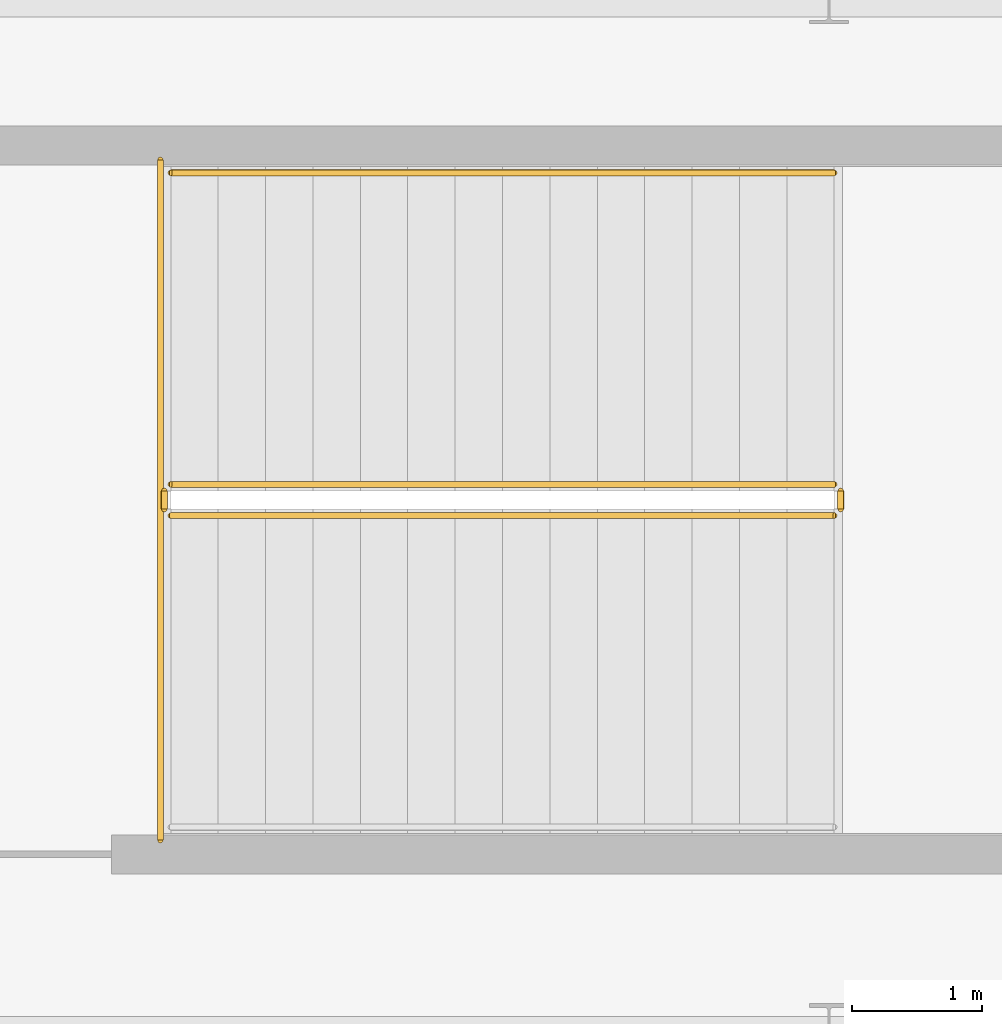
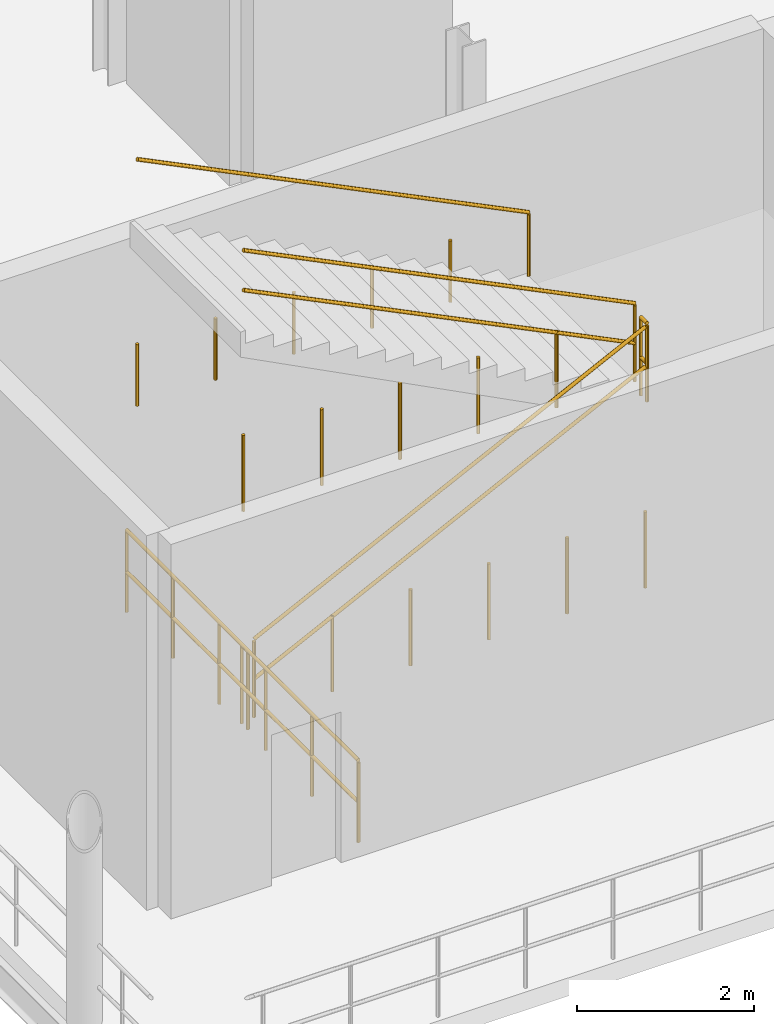
# One storey, part 116 of 129: 6 railings.
"""IFC4 building model written with IfcOpenShell, lengths in metres."""

from ifc_helpers import new_model, si_unit, direction, frame, origin, origin_2d, place, context, subcontext, project, spatial, circle, extrude, material, type_object, element, save


model = new_model("IFC4")

# Units and contexts
model_context = context("Model", 3, precision=1e-05, world=origin(), true_north=direction((0.0, 1.0)))
body_context = subcontext(model_context, "Body", "Model", "MODEL_VIEW")
ifc_project = project(units=[si_unit("LENGTHUNIT", "METRE"), si_unit("AREAUNIT", "SQUARE_METRE"), si_unit("VOLUMEUNIT", "CUBIC_METRE"), si_unit("PLANEANGLEUNIT", "RADIAN"), si_unit("MASSUNIT", "GRAM", prefix="KILO")], contexts=[model_context])

# Site, building, storey
site_placement = place(None, origin())
site = spatial("IfcSite", under=ifc_project, at=site_placement, CompositionType="ELEMENT")
building_placement = place(site_placement, origin())
building = spatial("IfcBuilding", under=site, at=building_placement, Name="Danafjord Basin Convention Centre", CompositionType="ELEMENT")
storey_placement = place(building_placement, frame((0.0, 0.0, 6.0)))
storey = spatial("IfcBuildingStorey", under=building, at=storey_placement, Name="L01", CompositionType="ELEMENT", Elevation=6.0)

# Railings
ifc_material_1 = material(Name="Laminated structural glass and stainless steel", Category="steel")
railing_type_1 = type_object("IfcRailingType", Name="RL-BAL-GLS", PredefinedType="BALUSTRADE", material=ifc_material_1)
railing_1_placement = place(storey_placement, frame((100.449951171875, 126.75, 0.0)))
element("IfcRailing", 1, at=railing_1_placement, inside=storey, type_object=railing_type_1, Name="L01 safety guard balustrade 82", PredefinedType="BALUSTRADE", context=body_context, shape_type="SweptSolid", body=[
    extrude(circle(Radius=0.02392578125, at=origin_2d()), frame((0.0, 0.0, 1.1259765625), z_axis=(0.0, -1.0, 0.0), x_axis=(1.0, 0.0, 0.0)), (0.0, 0.0, 1.0), 5.239990234375),
    extrude(circle(Radius=0.02392578125, at=origin_2d()), frame((0.0, 0.0, 0.55078125), z_axis=(0.0, -1.0, 0.0), x_axis=(1.0, 0.0, 0.0)), (0.0, 0.0, 1.0), 5.239990234375),
    extrude(circle(Radius=0.02099609375, at=origin_2d()), origin(), (0.0, 0.0, 1.0), 1.099853515625),
    extrude(circle(Radius=0.02099609375, at=origin_2d()), frame((0.0, -1.048095703125, 0.0)), (0.0, 0.0, 1.0), 1.099853515625),
    extrude(circle(Radius=0.02099609375, at=origin_2d()), frame((0.0, -2.095947265625, 0.0)), (0.0, 0.0, 1.0), 1.099853515625),
    extrude(circle(Radius=0.02099609375, at=origin_2d()), frame((0.0, -3.14404296875, 0.0)), (0.0, 0.0, 1.0), 1.099853515625),
    extrude(circle(Radius=0.02099609375, at=origin_2d()), frame((0.0, -4.19189453125, 0.0)), (0.0, 0.0, 1.0), 1.099853515625),
    extrude(circle(Radius=0.02099609375, at=origin_2d()), frame((0.0, -5.239990234375, 0.0)), (0.0, 0.0, 1.0), 1.099853515625),
])
ifc_material_2 = material(Name="Galvanised steel S355", Category="steel")
railing_type_2 = type_object("IfcRailingType", Name="RL-GD-WELL", PredefinedType="BALUSTRADE", material=ifc_material_2)
railing_2_placement = place(storey_placement, frame((100.530029296875, 124.010009765625, 0.179931640625)))
element("IfcRailing", 2, at=railing_2_placement, inside=storey, type_object=railing_type_2, Name="L01 ST-09 stair guard 1", PredefinedType="BALUSTRADE", context=body_context, shape_type="SweptSolid", body=[
    extrude(circle(Radius=0.02392578125, at=origin_2d()), frame((0.0, 0.0, 1.076171875), z_axis=(0.89686481642, 0.0, 0.442304760396), x_axis=(0.0, 1.0, 0.0)), (0.0, 0.0, 1.0), 5.697509765625),
    extrude(circle(Radius=0.02392578125, at=origin_2d()), frame((0.0, 0.0, 0.52587890625), z_axis=(0.89686481642, 0.0, 0.442304760396), x_axis=(0.0, 1.0, 0.0)), (0.0, 0.0, 1.0), 5.697509765625),
    extrude(circle(Radius=0.02099609375, at=origin_2d()), origin(), (0.0, 0.0, 1.0), 1.050048828125),
    extrude(circle(Radius=0.02099609375, at=origin_2d()), frame((1.02197265625, 0.0, 0.0)), (0.0, 0.0, 1.0), 1.050048828125),
    extrude(circle(Radius=0.02099609375, at=origin_2d()), frame((2.0439453125, 0.0, 0.0)), (0.0, 0.0, 1.0), 1.050048828125),
    extrude(circle(Radius=0.02099609375, at=origin_2d()), frame((3.06591796875, 0.0, 0.0)), (0.0, 0.0, 1.0), 1.050048828125),
    extrude(circle(Radius=0.02099609375, at=origin_2d()), frame((4.087890625, 0.0, 0.0)), (0.0, 0.0, 1.0), 1.050048828125),
    extrude(circle(Radius=0.02099609375, at=origin_2d()), frame((5.10986328125, 0.0, 0.0)), (0.0, 0.0, 1.0), 1.050048828125),
])
railing_3_placement = place(storey_placement, frame((105.68994140625, 124.06005859375, 2.699951171875)))
element("IfcRailing", 3, at=railing_3_placement, inside=storey, type_object=railing_type_2, Name="L01 ST-09 stair guard 2", PredefinedType="BALUSTRADE", context=body_context, shape_type="SweptSolid", body=[
    extrude(circle(Radius=0.02392578125, at=origin_2d()), frame((0.0, 0.0, 1.076171875), z_axis=(0.0, 1.0, 0.0), x_axis=(-1.0, 0.0, 0.0)), (0.0, 0.0, 1.0), 0.139892578125),
    extrude(circle(Radius=0.02392578125, at=origin_2d()), frame((0.0, 0.0, 0.52587890625), z_axis=(0.0, 1.0, 0.0), x_axis=(-1.0, 0.0, 0.0)), (0.0, 0.0, 1.0), 0.139892578125),
    extrude(circle(Radius=0.02099609375, at=origin_2d()), origin(), (0.0, 0.0, 1.0), 1.050048828125),
    extrude(circle(Radius=0.02099609375, at=origin_2d()), frame((0.0, 0.139892578125, 0.0)), (0.0, 0.0, 1.0), 1.050048828125),
])
railing_4_placement = place(storey_placement, frame((105.639892578125, 124.25, 2.8798828125)))
element("IfcRailing", 4, at=railing_4_placement, inside=storey, type_object=railing_type_2, Name="L01 ST-09 stair guard 3", PredefinedType="BALUSTRADE", context=body_context, shape_type="SweptSolid", body=[
    extrude(circle(Radius=0.02392578125, at=origin_2d()), frame((0.0, 0.0, 1.076171875), z_axis=(-0.89686481642, 0.0, 0.442304760396), x_axis=(0.0, -1.0, 0.0)), (0.0, 0.0, 1.0), 5.697509765625),
    extrude(circle(Radius=0.02392578125, at=origin_2d()), frame((0.0, 0.0, 0.52587890625), z_axis=(-0.89686481642, 0.0, 0.442304760396), x_axis=(0.0, -1.0, 0.0)), (0.0, 0.0, 1.0), 5.697509765625),
    extrude(circle(Radius=0.02099609375, at=origin_2d()), origin(), (0.0, 0.0, 1.0), 1.050048828125),
    extrude(circle(Radius=0.02099609375, at=origin_2d()), frame((-1.02197265625, 0.0, 0.0)), (0.0, 0.0, 1.0), 1.050048828125),
    extrude(circle(Radius=0.02099609375, at=origin_2d()), frame((-2.0439453125, 0.0, 0.0)), (0.0, 0.0, 1.0), 1.050048828125),
    extrude(circle(Radius=0.02099609375, at=origin_2d()), frame((-3.06591796875, 0.0, 0.0)), (0.0, 0.0, 1.0), 1.050048828125),
    extrude(circle(Radius=0.02099609375, at=origin_2d()), frame((-4.087890625, 0.0, 0.0)), (0.0, 0.0, 1.0), 1.050048828125),
    extrude(circle(Radius=0.02099609375, at=origin_2d()), frame((-5.10986328125, 0.0, 0.0)), (0.0, 0.0, 1.0), 1.050048828125),
])
railing_5_placement = place(storey_placement, frame((100.47998046875, 124.06005859375, 0.0)))
element("IfcRailing", 5, at=railing_5_placement, inside=storey, type_object=railing_type_2, Name="L01 ST-09 stair guard 4", PredefinedType="BALUSTRADE", context=body_context, shape_type="SweptSolid", body=[
    extrude(circle(Radius=0.02392578125, at=origin_2d()), frame((0.0, 0.0, 1.076171875), z_axis=(0.0, 1.0, 0.0), x_axis=(-1.0, 0.0, 0.0)), (0.0, 0.0, 1.0), 0.139892578125),
    extrude(circle(Radius=0.02392578125, at=origin_2d()), frame((0.0, 0.0, 0.52587890625), z_axis=(0.0, 1.0, 0.0), x_axis=(-1.0, 0.0, 0.0)), (0.0, 0.0, 1.0), 0.139892578125),
    extrude(circle(Radius=0.02099609375, at=origin_2d()), origin(), (0.0, 0.0, 1.0), 1.050048828125),
    extrude(circle(Radius=0.02099609375, at=origin_2d()), frame((0.0, 0.139892578125, 0.0)), (0.0, 0.0, 1.0), 1.050048828125),
])
ifc_material_3 = material(Name="Brushed stainless steel EN 1.4404", Category="steel")
railing_type_3 = type_object("IfcRailingType", Name="RL-HR-STAIR", PredefinedType="HANDRAIL", material=ifc_material_3)
railing_6_placement = place(storey_placement, frame((105.639892578125, 126.64990234375, 2.8798828125)))
element("IfcRailing", 6, at=railing_6_placement, inside=storey, type_object=railing_type_3, Name="L01 ST-09 stair handrail 2", PredefinedType="HANDRAIL", context=body_context, shape_type="SweptSolid", body=[
    extrude(circle(Radius=0.02392578125, at=origin_2d()), frame((0.0, 0.0, 0.8759765625), z_axis=(-0.89686481642, 0.0, 0.442304760396), x_axis=(0.0, -1.0, 0.0)), (0.0, 0.0, 1.0), 5.697509765625),
    extrude(circle(Radius=0.02099609375, at=origin_2d()), origin(), (0.0, 0.0, 1.0), 0.849853515625),
    extrude(circle(Radius=0.02099609375, at=origin_2d()), frame((-1.02197265625, 0.0, 0.0)), (0.0, 0.0, 1.0), 0.849853515625),
    extrude(circle(Radius=0.02099609375, at=origin_2d()), frame((-2.0439453125, 0.0, 0.0)), (0.0, 0.0, 1.0), 0.849853515625),
    extrude(circle(Radius=0.02099609375, at=origin_2d()), frame((-3.06591796875, 0.0, 0.0)), (0.0, 0.0, 1.0), 0.849853515625),
    extrude(circle(Radius=0.02099609375, at=origin_2d()), frame((-4.087890625, 0.0, 0.0)), (0.0, 0.0, 1.0), 0.849853515625),
    extrude(circle(Radius=0.02099609375, at=origin_2d()), frame((-5.10986328125, 0.0, 0.0)), (0.0, 0.0, 1.0), 0.849853515625),
])

save(model, "model.ifc")
